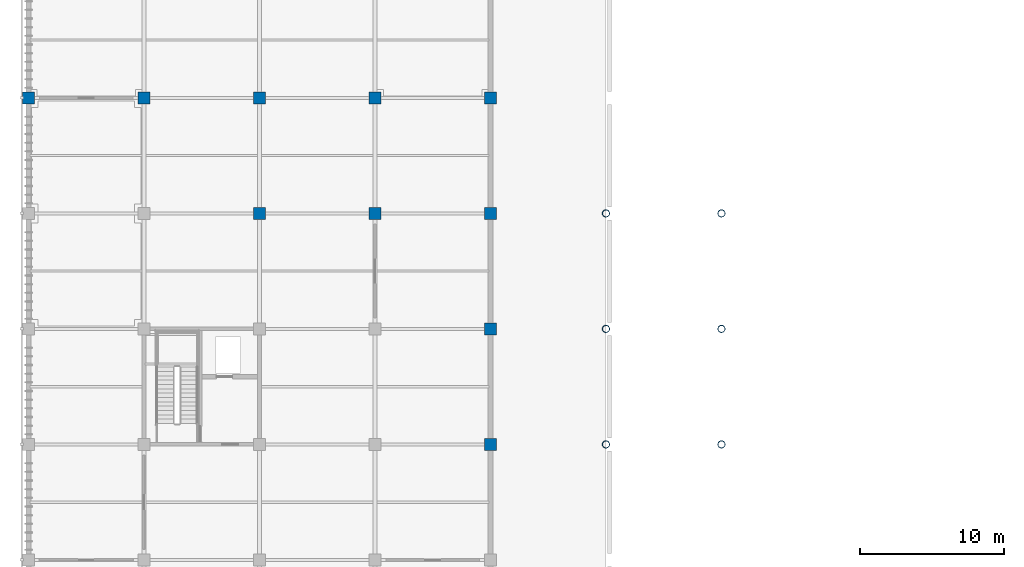
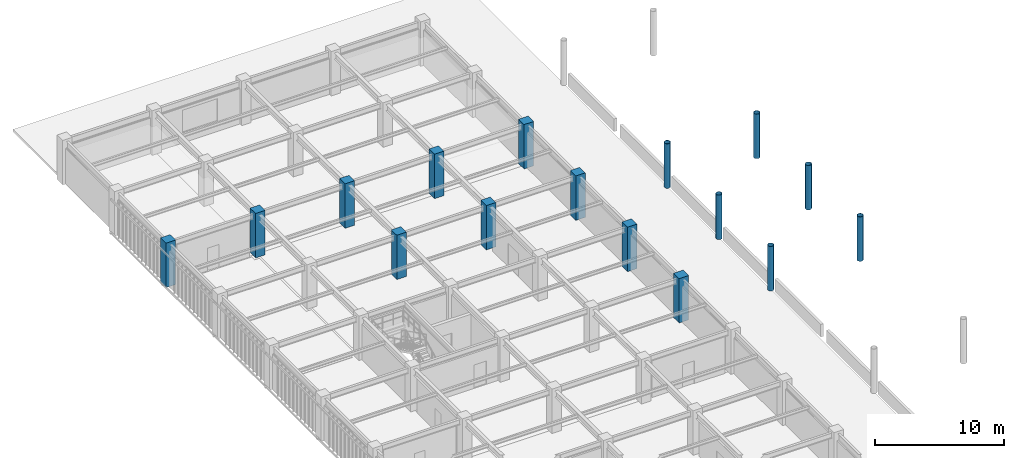
# One storey, part 6 of 78: 16 columns.
"""IFC4 building model written with IfcOpenShell, lengths in metres."""

from ifc_helpers import new_model, si_unit, direction, frame, origin, origin_2d, place, context, subcontext, project, spatial, rectangle, hollow_circle, extrude, material, material_profile, profile_set, type_object, element, save


model = new_model("IFC4")

# Units and contexts
model_context = context("Model", 3, precision=1e-05, world=origin(), true_north=direction((0.0, 1.0)))
body_context = subcontext(model_context, "Body", "Model", "MODEL_VIEW")
ifc_project = project(units=[si_unit("LENGTHUNIT", "METRE"), si_unit("AREAUNIT", "SQUARE_METRE"), si_unit("VOLUMEUNIT", "CUBIC_METRE"), si_unit("PLANEANGLEUNIT", "RADIAN"), si_unit("MASSUNIT", "GRAM", prefix="KILO")], contexts=[model_context])

# Site, building, storey
site_placement = place(None, origin())
site = spatial("IfcSite", under=ifc_project, at=site_placement, CompositionType="ELEMENT")
building_placement = place(site_placement, origin())
building = spatial("IfcBuilding", under=site, at=building_placement, Name="Haebicheon Civic Stadium", CompositionType="ELEMENT")
storey_placement = place(building_placement, frame((0.0, 0.0, 18.60009765625)))
storey = spatial("IfcBuildingStorey", under=building, at=storey_placement, Name="L05", CompositionType="ELEMENT", Elevation=18.60009765625)

# Columns
ifc_material_1 = material(Name="Concrete C40/50", Category="concrete")
ifc_material_profile_1 = material_profile(ifc_material_1, rectangle(XDim=0.85009765625, YDim=0.85009765625, at=origin_2d()), Name="RC-COL-850x850")
ifc_profile_set_1 = profile_set([ifc_material_profile_1], Name="Concrete C40/50")
column_type_1 = type_object("IfcColumnType", Name="COL-RC-850", PredefinedType="COLUMN", material=ifc_profile_set_1)
for number, where, z_axis, x_axis, name in (
    (1, (24.0, 128.0, 0.0), (0.0, 0.0, 1.0), (1.0, 0.0, 0.0), "L05 column 4/S"),
    (2, (32.0, 128.0, 0.0), (0.0, 0.0, 1.0), (1.0, 0.0, 0.0), "L05 column 5/S"),
    (3, (40.0, 120.0, 0.0), (0.0, 0.0, 1.0), (1.0, 0.0, 0.0), "L05 column 6/R"),
    (4, (40.0, 128.0, 0.0), (0.0, 0.0, 1.0), (1.0, 0.0, 0.0), "L05 column 6/S"),
    (5, (48.0, 120.0, 0.0), (0.0, 0.0, 1.0), (1.0, 0.0, 0.0), "L05 column 7/R"),
    (6, (48.0, 128.0, 0.0), (0.0, 0.0, 1.0), (1.0, 0.0, 0.0), "L05 column 7/S"),
    (7, (56.0, 104.0, 0.0), (0.0, 0.0, 1.0), (1.0, 0.0, 0.0), "L05 column 8/P"),
    (8, (56.0, 112.0, 0.0), (0.0, 0.0, 1.0), (1.0, 0.0, 0.0), "L05 column 8/Q"),
    (9, (56.0, 120.0, 0.0), (0.0, 0.0, 1.0), (1.0, 0.0, 0.0), "L05 column 8/R"),
    (10, (56.0, 128.0, 0.0), (0.0, 0.0, 1.0), (1.0, 0.0, 0.0), "L05 column 8/S"),
):
    element("IfcColumn", number, at=place(storey_placement, frame(where, z_axis=z_axis, x_axis=x_axis)), inside=storey, type_object=column_type_1, material=ifc_profile_set_1, Name=name, PredefinedType="COLUMN", context=body_context, shape_type="SweptSolid", body=[
        extrude(rectangle(XDim=0.85009765625, YDim=0.85009765625, at=origin_2d()), origin(), (0.0, 0.0, 1.0), 4.199951171875),
    ])
ifc_material_2 = material(Name="White painted steel SM490", Category="steel")
ifc_material_profile_2 = material_profile(ifc_material_2, hollow_circle(Radius=0.25390625, WallThickness=0.02490234375, at=origin_2d()), Name="CHS-508.0x25.0")
ifc_profile_set_2 = profile_set([ifc_material_profile_2], Name="White painted steel SM490")
column_type_2 = type_object("IfcColumnType", Name="COL-ST-CHS508", PredefinedType="COLUMN", material=ifc_profile_set_2)
for number, where, z_axis, x_axis, name in (
    (11, (64.0, 104.0, 0.0), (0.0, 0.0, 1.0), (1.0, 0.0, 0.0), "Bowl/canopy support column 64/104 (L05)"),
    (12, (72.0, 104.0, 0.0), (0.0, 0.0, 1.0), (1.0, 0.0, 0.0), "Bowl/canopy support column 72/104 (L05)"),
    (13, (64.0, 112.0, 0.0), (0.0, 0.0, 1.0), (1.0, 0.0, 0.0), "Bowl/canopy support column 64/112 (L05)"),
    (14, (72.0, 112.0, 0.0), (0.0, 0.0, 1.0), (1.0, 0.0, 0.0), "Bowl/canopy support column 72/112 (L05)"),
    (15, (64.0, 120.0, 0.0), (0.0, 0.0, 1.0), (1.0, 0.0, 0.0), "Bowl/canopy support column 64/120 (L05)"),
    (16, (72.0, 120.0, 0.0), (0.0, 0.0, 1.0), (1.0, 0.0, 0.0), "Bowl/canopy support column 72/120 (L05)"),
):
    element("IfcColumn", number, at=place(storey_placement, frame(where, z_axis=z_axis, x_axis=x_axis)), inside=storey, type_object=column_type_2, material=ifc_profile_set_2, Name=name, PredefinedType="COLUMN", context=body_context, shape_type="SweptSolid", body=[
        extrude(hollow_circle(Radius=0.25390625, WallThickness=0.02490234375, at=origin_2d()), origin(), (0.0, 0.0, 1.0), 4.199951171875),
    ])

save(model, "model.ifc")
